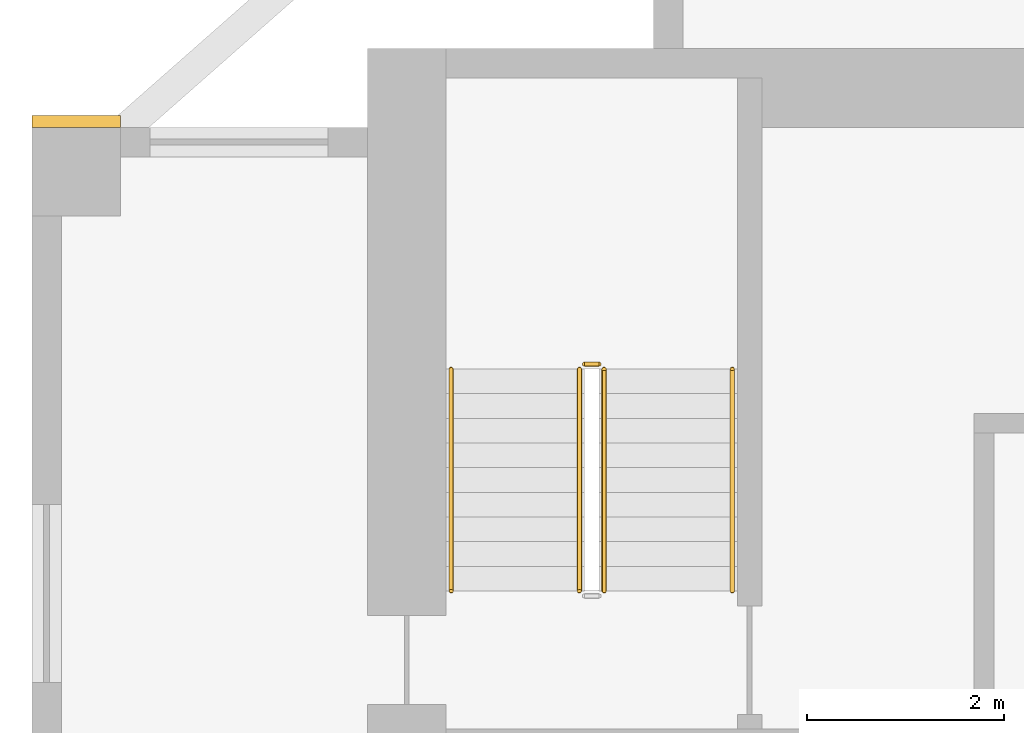
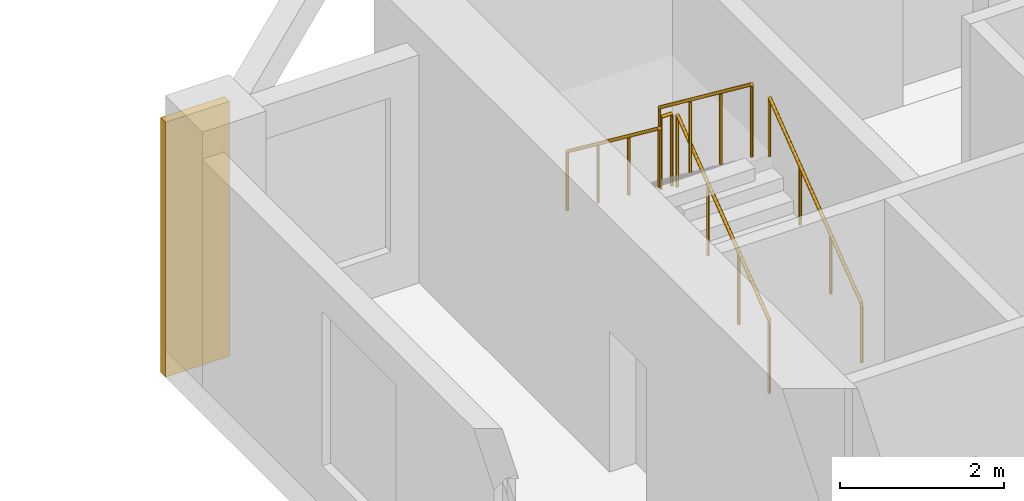
# One storey, part 10 of 12: 5 railings, 1 covering.
"""IFC4 building model written with IfcOpenShell, lengths in metres."""

from ifc_helpers import new_model, si_unit, direction, frame, origin, origin_2d, place, context, subcontext, project, spatial, rectangle, circle, extrude, source, transform, mapped, material, type_object, element, save


model = new_model("IFC4")

# Units and contexts
model_context = context("Model", 3, precision=1e-05, world=origin(), true_north=direction((0.0, 1.0)))
body_context = subcontext(model_context, "Body", "Model", "MODEL_VIEW")
ifc_project = project(units=[si_unit("LENGTHUNIT", "METRE"), si_unit("AREAUNIT", "SQUARE_METRE"), si_unit("VOLUMEUNIT", "CUBIC_METRE"), si_unit("PLANEANGLEUNIT", "RADIAN"), si_unit("MASSUNIT", "GRAM", prefix="KILO")], contexts=[model_context])

# Site, building, storey
site_placement = place(None, origin())
site = spatial("IfcSite", under=ifc_project, at=site_placement, CompositionType="ELEMENT")
building_placement = place(site_placement, origin())
building = spatial("IfcBuilding", under=site, at=building_placement, Name="Aurelian Terraces", CompositionType="ELEMENT")
storey_placement = place(building_placement, frame((0.0, 0.0, 181.6)))
storey = spatial("IfcBuildingStorey", under=building, at=storey_placement, Name="L39", CompositionType="ELEMENT", Elevation=181.6)

# Covering
ifc_material_1 = material(Name="Terracotta rainscreen cladding relief", Category="masonry")
covering_type = type_object("IfcCoveringType", Name="BAGUETTE-TC", PredefinedType="CLADDING", material=ifc_material_1)
shared_shape_1 = source(origin(), body_context, "Body", "SweptSolid", [
    extrude(rectangle(XDim=0.9, YDim=0.12, at=origin_2d()), origin(), (0.0, 0.0, 1.0), 3.8),
])
covering_placement = place(storey_placement, frame((0.45, 21.06, -0.4), z_axis=(0.0, 0.0, 1.0), x_axis=(1.0, 0.0, 0.0)))
element("IfcCovering", 1, at=covering_placement, inside=storey, type_object=covering_type, Name="BAGUETTE pier L39 5", PredefinedType="CLADDING", context=body_context, shape_type="MappedRepresentation", body=[
    mapped(shared_shape_1, transform((0.0, 0.0, 0.0), scale=1.0)),
])

# Railings
ifc_material_2 = material(Name="Stainless steel", Category="steel")
railing_type_1 = type_object("IfcRailingType", Name="Stair guard 1100", PredefinedType="GUARDRAIL", material=ifc_material_2)
shared_shape_2 = source(origin(), body_context, "Body", "SweptSolid", [
    extrude(circle(Radius=0.024, at=origin_2d()), frame((0.0, 0.0, 1.076), z_axis=(-1.0, 0.0, 0.0), x_axis=(0.0, -1.0, 0.0)), (0.0, 0.0, 1.0), 0.15),
    extrude(circle(Radius=0.021, at=origin_2d()), origin(), (0.0, 0.0, 1.0), 1.052),
    extrude(circle(Radius=0.021, at=origin_2d()), frame((-0.15, 0.0, 0.0)), (0.0, 0.0, 1.0), 1.052),
])
railing_1_placement = place(storey_placement, frame((5.75, 18.6, 1.9)))
element("IfcRailing", 2, at=railing_1_placement, inside=storey, type_object=railing_type_1, Name="L39 S1 stair guard 2", PredefinedType="GUARDRAIL", context=body_context, shape_type="MappedRepresentation", body=[
    mapped(shared_shape_2, transform((0.0, 0.0, 0.0), scale=1.0)),
])
shared_shape_3 = source(origin(), body_context, "Body", "SweptSolid", [
    extrude(circle(Radius=0.024, at=origin_2d()), frame((0.0, 0.0, 1.076), z_axis=(0.0, 0.796162194123, 0.605083267534), x_axis=(-1.0, 0.0, 0.0)), (0.0, 0.0, 1.0), 2.8261),
    extrude(circle(Radius=0.021, at=origin_2d()), origin(), (0.0, 0.0, 1.0), 1.052),
    extrude(circle(Radius=0.021, at=origin_2d()), frame((0.0, 0.75, 0.57)), (0.0, 0.0, 1.0), 1.052),
    extrude(circle(Radius=0.021, at=origin_2d()), frame((0.0, 1.5, 1.14)), (0.0, 0.0, 1.0), 1.052),
    extrude(circle(Radius=0.021, at=origin_2d()), frame((0.0, 2.25, 1.71)), (0.0, 0.0, 1.0), 1.052),
])
railing_2_placement = place(storey_placement, frame((5.8, 16.3, 0.19)))
element("IfcRailing", 3, at=railing_2_placement, inside=storey, type_object=railing_type_1, Name="L39 S1 stair guard 1", PredefinedType="GUARDRAIL", context=body_context, shape_type="MappedRepresentation", body=[
    mapped(shared_shape_3, transform((0.0, 0.0, 0.0), scale=1.0)),
])
shared_shape_4 = source(origin(), body_context, "Body", "SweptSolid", [
    extrude(circle(Radius=0.024, at=origin_2d()), frame((0.0, 0.0, 1.076), z_axis=(0.0, -0.796162194123, 0.605083267534), x_axis=(1.0, 0.0, 0.0)), (0.0, 0.0, 1.0), 2.8261),
    extrude(circle(Radius=0.021, at=origin_2d()), origin(), (0.0, 0.0, 1.0), 1.052),
    extrude(circle(Radius=0.021, at=origin_2d()), frame((0.0, -0.75, 0.57)), (0.0, 0.0, 1.0), 1.052),
    extrude(circle(Radius=0.021, at=origin_2d()), frame((0.0, -1.5, 1.14)), (0.0, 0.0, 1.0), 1.052),
    extrude(circle(Radius=0.021, at=origin_2d()), frame((0.0, -2.25, 1.71)), (0.0, 0.0, 1.0), 1.052),
])
railing_3_placement = place(storey_placement, frame((5.55, 18.55, 2.09)))
element("IfcRailing", 4, at=railing_3_placement, inside=storey, type_object=railing_type_1, Name="L39 S1 stair guard 3", PredefinedType="GUARDRAIL", context=body_context, shape_type="MappedRepresentation", body=[
    mapped(shared_shape_4, transform((0.0, 0.0, 0.0), scale=1.0)),
])
railing_type_2 = type_object("IfcRailingType", Name="Stair handrail", PredefinedType="HANDRAIL", material=ifc_material_2)
shared_shape_5 = source(origin(), body_context, "Body", "SweptSolid", [
    extrude(circle(Radius=0.024, at=origin_2d()), frame((0.0, 0.0, 0.876), z_axis=(0.0, 0.796162194123, 0.605083267534), x_axis=(-1.0, 0.0, 0.0)), (0.0, 0.0, 1.0), 2.8261),
    extrude(circle(Radius=0.021, at=origin_2d()), origin(), (0.0, 0.0, 1.0), 0.852),
    extrude(circle(Radius=0.021, at=origin_2d()), frame((0.0, 0.75, 0.57)), (0.0, 0.0, 1.0), 0.852),
    extrude(circle(Radius=0.021, at=origin_2d()), frame((0.0, 1.5, 1.14)), (0.0, 0.0, 1.0), 0.852),
    extrude(circle(Radius=0.021, at=origin_2d()), frame((0.0, 2.25, 1.71)), (0.0, 0.0, 1.0), 0.852),
])
railing_4_placement = place(storey_placement, frame((7.1, 16.3, 0.19)))
element("IfcRailing", 5, at=railing_4_placement, inside=storey, type_object=railing_type_2, Name="L39 S1 stair handrail 1", PredefinedType="HANDRAIL", context=body_context, shape_type="MappedRepresentation", body=[
    mapped(shared_shape_5, transform((0.0, 0.0, 0.0), scale=1.0)),
])
shared_shape_6 = source(origin(), body_context, "Body", "SweptSolid", [
    extrude(circle(Radius=0.024, at=origin_2d()), frame((0.0, 0.0, 0.876), z_axis=(0.0, -0.796162194123, 0.605083267534), x_axis=(1.0, 0.0, 0.0)), (0.0, 0.0, 1.0), 2.8261),
    extrude(circle(Radius=0.021, at=origin_2d()), origin(), (0.0, 0.0, 1.0), 0.852),
    extrude(circle(Radius=0.021, at=origin_2d()), frame((0.0, -0.75, 0.57)), (0.0, 0.0, 1.0), 0.852),
    extrude(circle(Radius=0.021, at=origin_2d()), frame((0.0, -1.5, 1.14)), (0.0, 0.0, 1.0), 0.852),
    extrude(circle(Radius=0.021, at=origin_2d()), frame((0.0, -2.25, 1.71)), (0.0, 0.0, 1.0), 0.852),
])
railing_5_placement = place(storey_placement, frame((4.25, 18.55, 2.09)))
element("IfcRailing", 6, at=railing_5_placement, inside=storey, type_object=railing_type_2, Name="L39 S1 stair handrail 2", PredefinedType="HANDRAIL", context=body_context, shape_type="MappedRepresentation", body=[
    mapped(shared_shape_6, transform((0.0, 0.0, 0.0), scale=1.0)),
])

save(model, "model.ifc")
